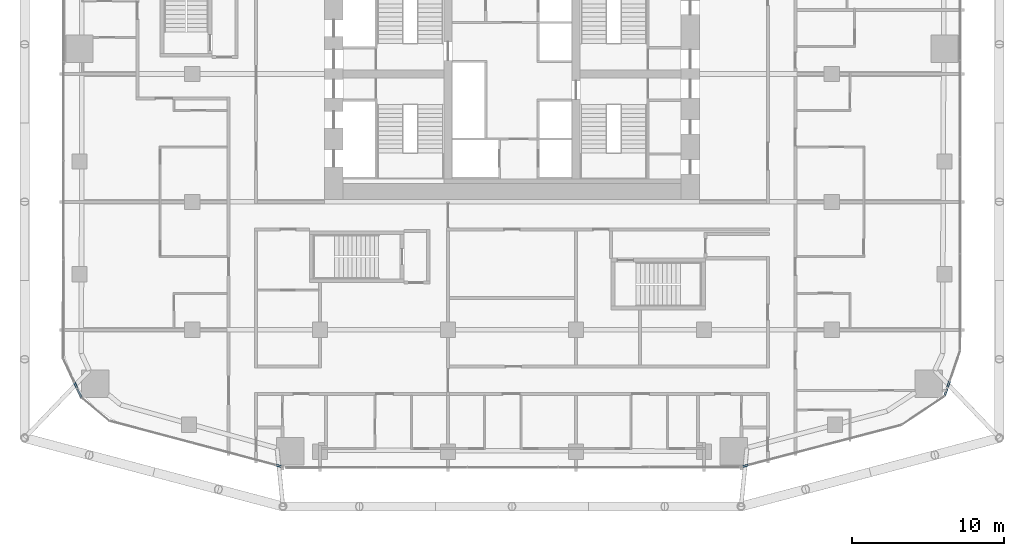
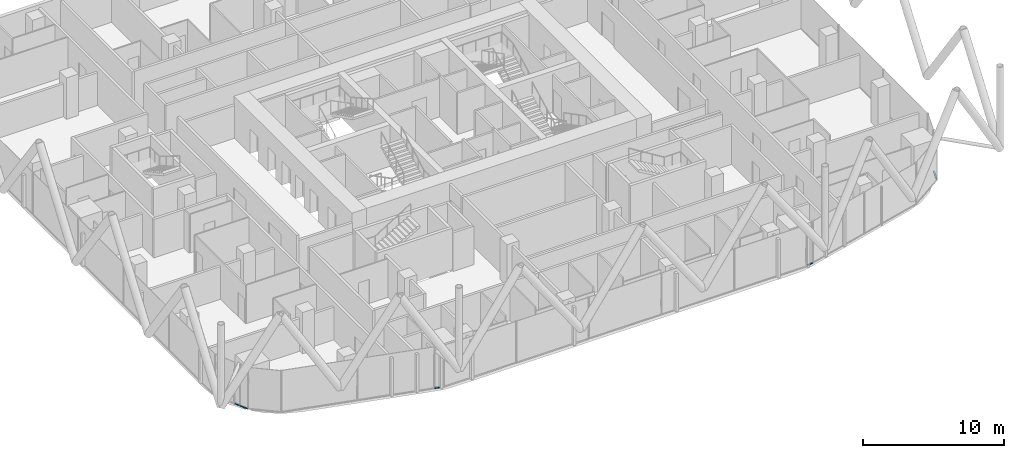
# One storey, part 16 of 34: 6 members, 6 elements without a shape of their own.
"""IFC4 building model written with IfcOpenShell, lengths in metres."""

from ifc_helpers import new_model, si_unit, direction, frame, origin, origin_2d, place, context, subcontext, project, spatial, rectangle, extrude, material, layer, layer_set, material_profile, profile_set, type_object, element, aggregate, save


model = new_model("IFC4")

# Units and contexts
model_context = context("Model", 3, precision=1e-05, world=origin(), true_north=direction((0.0, 1.0)))
body_context = subcontext(model_context, "Body", "Model", "MODEL_VIEW")
ifc_project = project(units=[si_unit("LENGTHUNIT", "METRE"), si_unit("AREAUNIT", "SQUARE_METRE"), si_unit("VOLUMEUNIT", "CUBIC_METRE"), si_unit("PLANEANGLEUNIT", "RADIAN"), si_unit("MASSUNIT", "GRAM", prefix="KILO")], contexts=[model_context])

# Site, building, storey
site_placement = place(None, origin())
site = spatial("IfcSite", under=ifc_project, at=site_placement, CompositionType="ELEMENT")
building_placement = place(site_placement, origin())
building = spatial("IfcBuilding", under=site, at=building_placement, Name="Marenta Gate Hotel Tower", CompositionType="ELEMENT")
storey_placement = place(building_placement, frame((0.0, 0.0, 47.300048828125)))
storey = spatial("IfcBuildingStorey", under=building, at=storey_placement, Name="L09", CompositionType="ELEMENT", Elevation=47.300048828125)

# Curtain wall, member
ifc_material_1 = material(Name="Tinted insulated glass in bronze anodised frame", Category="glass")
ifc_layer = layer(ifc_material_1, 0.1201171875)
ifc_layer_set = layer_set([ifc_layer], Name="Tinted insulated glass in bronze anodised frame")
curtain_wall_type = type_object("IfcCurtainWallType", Name="Tower unitised curtain wall CW1", PredefinedType="NOTDEFINED", material=ifc_layer_set)
curtain_wall_1_placement = place(storey_placement, origin())
curtain_wall_1 = element("IfcCurtainWall", 1, at=curtain_wall_1_placement, inside=storey, type_object=curtain_wall_type, Name="CW1 run G06", PredefinedType="NOTDEFINED")
ifc_material_2 = material(Name="Bronze anodised aluminium", Category="aluminium")
ifc_material_profile = material_profile(ifc_material_2, rectangle(XDim=0.1201171875, YDim=0.06005859375, at=origin_2d()), Name="Transom CW1 60x120 bronze anodised aluminium")
ifc_profile_set = profile_set([ifc_material_profile], Name="Bronze anodised aluminium")
member_type = type_object("IfcMemberType", Name="Transom CW1 60x120 bronze anodised aluminium", PredefinedType="USERDEFINED", material=ifc_profile_set)
member_1_placement = place(storey_placement, frame((-28.739501953125, -11.84619140625, 0.030029296875), z_axis=(0.422979592387, -0.906139208082, 0.0), x_axis=(0.906139208082, 0.422979592387, 0.0)))
member_1 = element("IfcMember", 2, at=member_1_placement, type_object=member_type, Name="CW1 transom 1.1", ObjectType="TRANSOM", PredefinedType="USERDEFINED", context=body_context, shape_type="SweptSolid", body=[
    extrude(rectangle(XDim=0.1201171875, YDim=0.06005859375, at=origin_2d()), origin(), (0.0, 0.0, 1.0), 0.426025390625),
])
aggregate(curtain_wall_1, [member_1])

curtain_wall_2_placement = place(storey_placement, origin())
curtain_wall_2 = element("IfcCurtainWall", 3, at=curtain_wall_2_placement, inside=storey, type_object=curtain_wall_type, Name="CW1 run G07", PredefinedType="NOTDEFINED")
member_2_placement = place(storey_placement, frame((-28.533935546875, -12.286376953125, 0.030029296875), z_axis=(0.423321437663, -0.905979558497, 0.0), x_axis=(0.905979558497, 0.423321437663, 0.0)))
member_2 = element("IfcMember", 4, at=member_2_placement, type_object=member_type, Name="CW1 transom 1.1", ObjectType="TRANSOM", PredefinedType="USERDEFINED", context=body_context, shape_type="SweptSolid", body=[
    extrude(rectangle(XDim=0.1201171875, YDim=0.06005859375, at=origin_2d()), origin(), (0.0, 0.0, 1.0), 0.613037109375),
])
aggregate(curtain_wall_2, [member_2])

curtain_wall_3_placement = place(storey_placement, origin())
curtain_wall_3 = element("IfcCurtainWall", 5, at=curtain_wall_3_placement, inside=storey, type_object=curtain_wall_type, Name="CW1 run G10", PredefinedType="NOTDEFINED")
member_3_placement = place(storey_placement, frame((-15.485595703125, -17.2841796875, 0.030029296875), z_axis=(0.96644611401, -0.256869439046, 0.0), x_axis=(0.256869439046, 0.96644611401, 0.0)))
member_3 = element("IfcMember", 6, at=member_3_placement, type_object=member_type, Name="CW1 transom 1.1", ObjectType="TRANSOM", PredefinedType="USERDEFINED", context=body_context, shape_type="SweptSolid", body=[
    extrude(rectangle(XDim=0.1201171875, YDim=0.06005859375, at=origin_2d()), origin(), (0.0, 0.0, 1.0), 0.364013671875),
])
aggregate(curtain_wall_3, [member_3])

curtain_wall_4_placement = place(storey_placement, origin())
curtain_wall_4 = element("IfcCurtainWall", 7, at=curtain_wall_4_placement, inside=storey, type_object=curtain_wall_type, Name="CW1 run G12", PredefinedType="NOTDEFINED")
member_4_placement = place(storey_placement, frame((15.13232421875, -17.376708984375, 0.030029296875), z_axis=(0.967298175174, 0.253641952966, 0.0), x_axis=(-0.253641952966, 0.967298175174, 0.0)))
member_4 = element("IfcMember", 8, at=member_4_placement, type_object=member_type, Name="CW1 transom 1.1", ObjectType="TRANSOM", PredefinedType="USERDEFINED", context=body_context, shape_type="SweptSolid", body=[
    extrude(rectangle(XDim=0.1201171875, YDim=0.06005859375, at=origin_2d()), origin(), (0.0, 0.0, 1.0), 0.423583984375),
])
aggregate(curtain_wall_4, [member_4])

curtain_wall_5_placement = place(storey_placement, origin())
curtain_wall_5 = element("IfcCurtainWall", 9, at=curtain_wall_5_placement, inside=storey, type_object=curtain_wall_type, Name="CW1 run G15", PredefinedType="NOTDEFINED")
member_5_placement = place(storey_placement, frame((28.4150390625, -12.70458984375, 0.030029296875), z_axis=(0.322254212139, 0.946653169201, 0.0), x_axis=(-0.946653169201, 0.322254212139, 0.0)))
member_5 = element("IfcMember", 10, at=member_5_placement, type_object=member_type, Name="CW1 transom 1.1", ObjectType="TRANSOM", PredefinedType="USERDEFINED", context=body_context, shape_type="SweptSolid", body=[
    extrude(rectangle(XDim=0.1201171875, YDim=0.06005859375, at=origin_2d()), origin(), (0.0, 0.0, 1.0), 0.485595703125),
])
aggregate(curtain_wall_5, [member_5])

curtain_wall_6_placement = place(storey_placement, origin())
curtain_wall_6 = element("IfcCurtainWall", 11, at=curtain_wall_6_placement, inside=storey, type_object=curtain_wall_type, Name="CW1 run G16", PredefinedType="NOTDEFINED")
member_6_placement = place(storey_placement, frame((28.5908203125, -12.18798828125, 0.030029296875), z_axis=(0.321912448893, 0.946769441442, 0.0), x_axis=(-0.946769441442, 0.321912448893, 0.0)))
member_6 = element("IfcMember", 12, at=member_6_placement, type_object=member_type, Name="CW1 transom 1.1", ObjectType="TRANSOM", PredefinedType="USERDEFINED", context=body_context, shape_type="SweptSolid", body=[
    extrude(rectangle(XDim=0.1201171875, YDim=0.06005859375, at=origin_2d()), origin(), (0.0, 0.0, 1.0), 0.450439453125),
])
aggregate(curtain_wall_6, [member_6])

save(model, "model.ifc")
